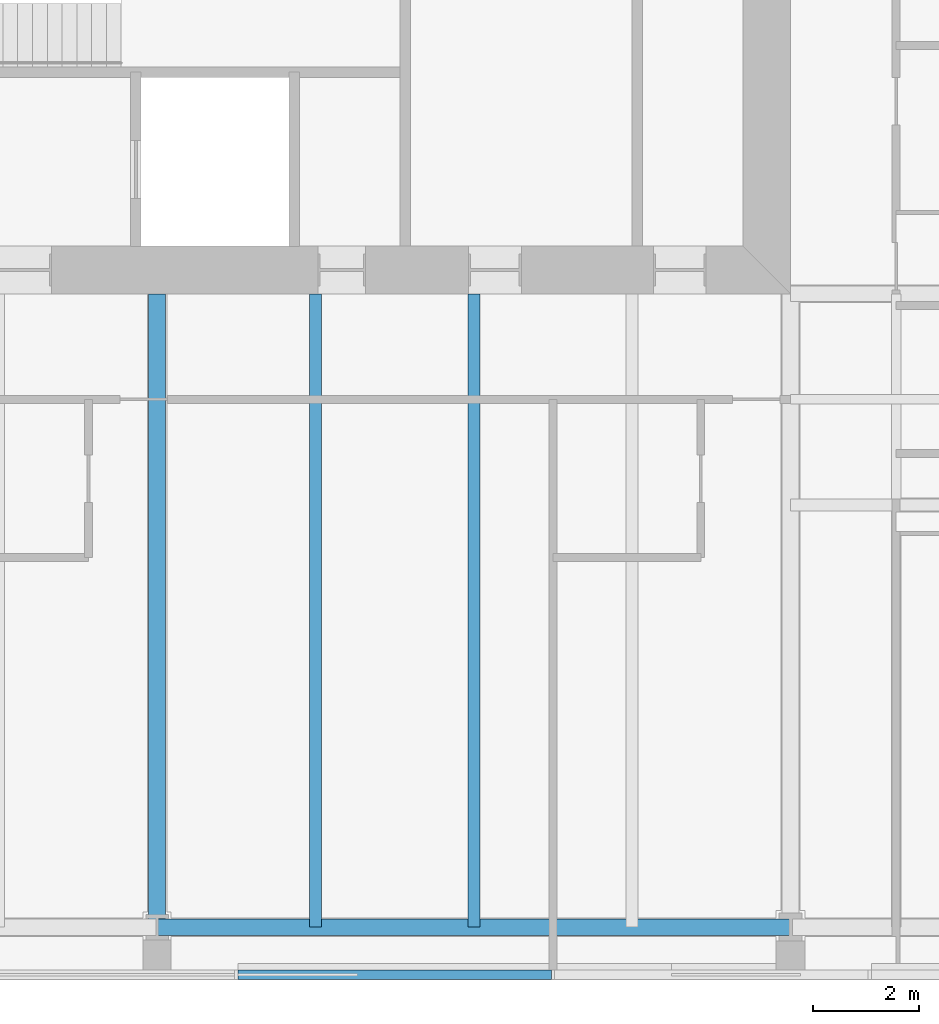
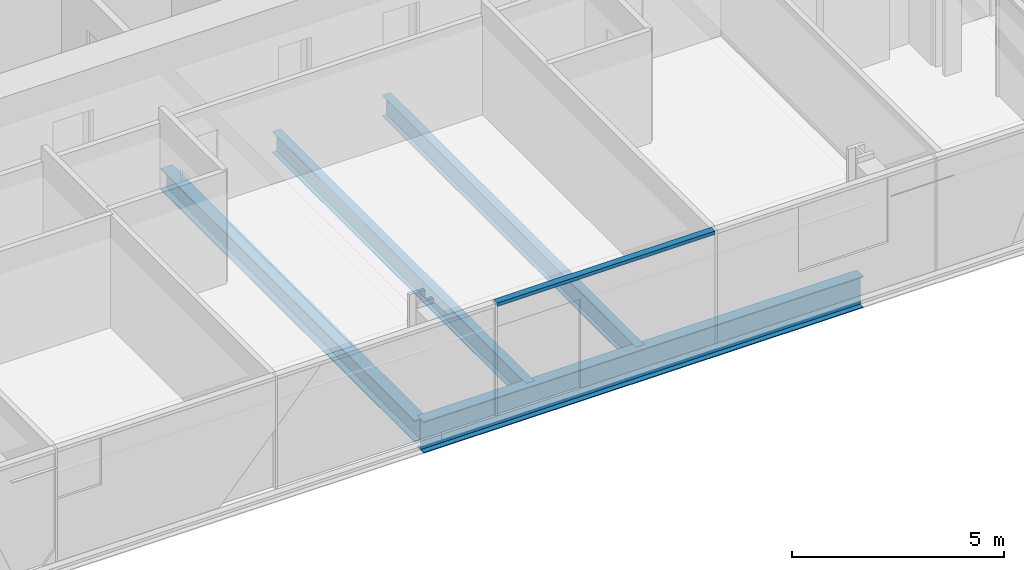
# One storey, part 3 of 19: 4 beams, 1 member, 1 element without a shape of its own.
"""IFC4 building model written with IfcOpenShell, lengths in metres."""

from ifc_helpers import new_model, si_unit, direction, frame, origin, origin_2d, place, context, subcontext, project, spatial, rectangle, i_section, extrude, material, material_profile, profile_set, type_object, element, aggregate, save


model = new_model("IFC4")

# Units and contexts
model_context = context("Model", 3, precision=1e-05, world=origin(), true_north=direction((0.0, 1.0)))
body_context = subcontext(model_context, "Body", "Model", "MODEL_VIEW")
ifc_project = project(units=[si_unit("LENGTHUNIT", "METRE"), si_unit("AREAUNIT", "SQUARE_METRE"), si_unit("VOLUMEUNIT", "CUBIC_METRE"), si_unit("PLANEANGLEUNIT", "RADIAN"), si_unit("MASSUNIT", "GRAM", prefix="KILO")], contexts=[model_context])

# Site, building, storey
site_placement = place(None, origin())
site = spatial("IfcSite", under=ifc_project, at=site_placement, CompositionType="ELEMENT")
building_placement = place(site_placement, origin())
building = spatial("IfcBuilding", under=site, at=building_placement, Name="Fenwick Lantern Interchange", CompositionType="ELEMENT")
storey_placement = place(building_placement, frame((0.0, 0.0, 273.0)))
storey = spatial("IfcBuildingStorey", under=building, at=storey_placement, Name="L65", CompositionType="ELEMENT", Elevation=273.0)

# Beams
ifc_material_1 = material(Name="Steel ASTM A992 Grade 50", Category="steel")
ifc_material_profile_1 = material_profile(ifc_material_1, i_section(OverallWidth=0.3046875, OverallDepth=0.911865234375, WebThickness=0.015869140625, FlangeThickness=0.02392578125, at=origin_2d()), Name="W36X150")
ifc_profile_set_1 = profile_set([ifc_material_profile_1], Name="Steel ASTM A992 Grade 50")
beam_type_1 = type_object("IfcBeamType", Name="EDGE BEAM W36X150", PredefinedType="SPANDREL", material=ifc_profile_set_1)
beam_1_placement = place(storey_placement, frame((25.0, 1.0, -0.60595703125), z_axis=(1.0, 0.0, 0.0), x_axis=(0.0, 1.0, 0.0)))
element("IfcBeam", 1, at=beam_1_placement, inside=storey, type_object=beam_type_1, Name="L65/FR/S/EB3", PredefinedType="SPANDREL", context=body_context, shape_type="SweptSolid", body=[
    extrude(i_section(OverallWidth=0.3046875, OverallDepth=0.911865234375, WebThickness=0.015869140625, FlangeThickness=0.02392578125, at=origin_2d()), origin(), (0.0, 0.0, 1.0), 12.0),
])
ifc_material_profile_2 = material_profile(ifc_material_1, i_section(OverallWidth=0.22900390625, OverallDepth=0.612060546875, WebThickness=0.011962890625, FlangeThickness=0.01953125, at=origin_2d()), Name="W24X84")
ifc_profile_set_2 = profile_set([ifc_material_profile_2], Name="Steel ASTM A992 Grade 50")
beam_type_2 = type_object("IfcBeamType", Name="FLOOR BEAM W24X84", PredefinedType="BEAM", material=ifc_profile_set_2)
for number, where, z_axis, x_axis, name in (
    (2, (28.0, 1.0, -0.4560546875), (0.0, 1.0, 0.0), (-1.0, 0.0, 0.0), "L65/FR/S/R06"),
    (3, (31.0, 1.0, -0.4560546875), (0.0, 1.0, 0.0), (-1.0, 0.0, 0.0), "L65/FR/S/R07"),
):
    element("IfcBeam", number, at=place(storey_placement, frame(where, z_axis=z_axis, x_axis=x_axis)), inside=storey, type_object=beam_type_2, Name=name, PredefinedType="BEAM", context=body_context, shape_type="SweptSolid", body=[
        extrude(i_section(OverallWidth=0.22900390625, OverallDepth=0.612060546875, WebThickness=0.011962890625, FlangeThickness=0.01953125, at=origin_2d()), origin(), (0.0, 0.0, 1.0), 12.0),
    ])

# Curtain wall, member
ifc_material_2 = material(Name="Aluminium curtain wall frame", Category="aluminium")
curtain_wall_type = type_object("IfcCurtainWallType", Name="HOTEL CURTAIN WALL", PredefinedType="USERDEFINED", material=ifc_material_2)
curtain_wall_placement = place(storey_placement, origin())
curtain_wall = element("IfcCurtainWall", 4, at=curtain_wall_placement, inside=storey, type_object=curtain_wall_type, Name="Hotel curtain wall 01", ObjectType="HOTEL CURTAIN WALL", PredefinedType="USERDEFINED")
ifc_material_3 = material(Name="Aluminium extrusion", Category="aluminium")
ifc_material_profile_3 = material_profile(ifc_material_3, rectangle(XDim=0.179931640625, YDim=0.10009765625, at=origin_2d()), Name="HOTEL CURTAIN WALL TRANSOM 100 X 180")
ifc_profile_set_3 = profile_set([ifc_material_profile_3], Name="Aluminium extrusion")
member_type = type_object("IfcMemberType", Name="HOTEL CURTAIN WALL TRANSOM 100 X 180", PredefinedType="MULLION", material=ifc_profile_set_3)
member_placement = place(storey_placement, frame((26.530029296875, 0.10009765625, 3.199951171875), z_axis=(1.0, 0.0, 0.0), x_axis=(0.0, 1.0, 0.0)))
member = element("IfcMember", 5, at=member_placement, type_object=member_type, Name="L65/CW/01/T04", PredefinedType="MULLION", context=body_context, shape_type="SweptSolid", body=[
    extrude(rectangle(XDim=0.179931640625, YDim=0.10009765625, at=origin_2d()), origin(), (0.0, 0.0, 1.0), 5.93994140625),
])
aggregate(curtain_wall, [member])

# Beam
ifc_material_profile_4 = material_profile(ifc_material_1, i_section(OverallWidth=0.32763671875, OverallDepth=0.622314453125, WebThickness=0.015380859375, FlangeThickness=0.0244140625, at=origin_2d()), Name="W24X131")
ifc_profile_set_4 = profile_set([ifc_material_profile_4], Name="Steel ASTM A992 Grade 50")
beam_type_3 = type_object("IfcBeamType", Name="MOMENT-CONNECTED GIRDER W24X131", PredefinedType="BEAM", material=ifc_profile_set_4)
beam_2_placement = place(storey_placement, frame((25.0, 1.0, -0.461181640625), z_axis=(0.0, 1.0, 0.0), x_axis=(-1.0, 0.0, 0.0)))
element("IfcBeam", 6, at=beam_2_placement, inside=storey, type_object=beam_type_3, Name="L65/FR/S/R05", PredefinedType="BEAM", context=body_context, shape_type="SweptSolid", body=[
    extrude(i_section(OverallWidth=0.32763671875, OverallDepth=0.622314453125, WebThickness=0.015380859375, FlangeThickness=0.0244140625, at=origin_2d()), origin(), (0.0, 0.0, 1.0), 12.0),
])

save(model, "model.ifc")
